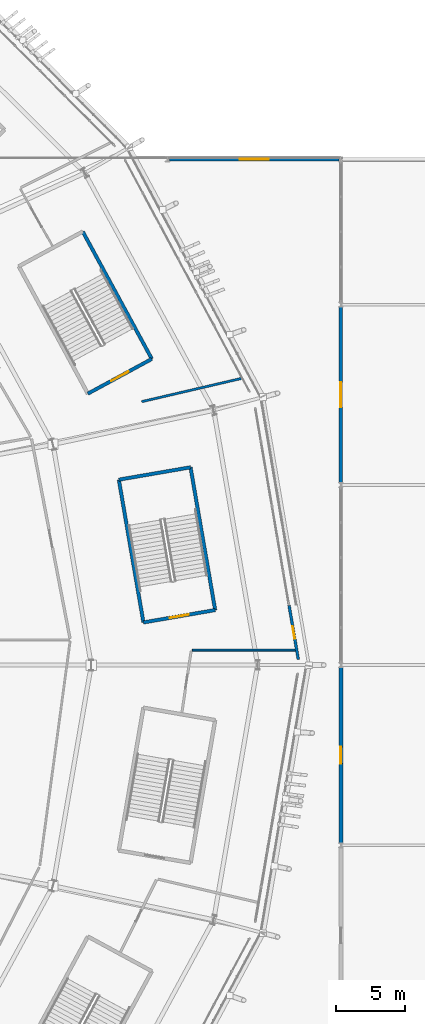
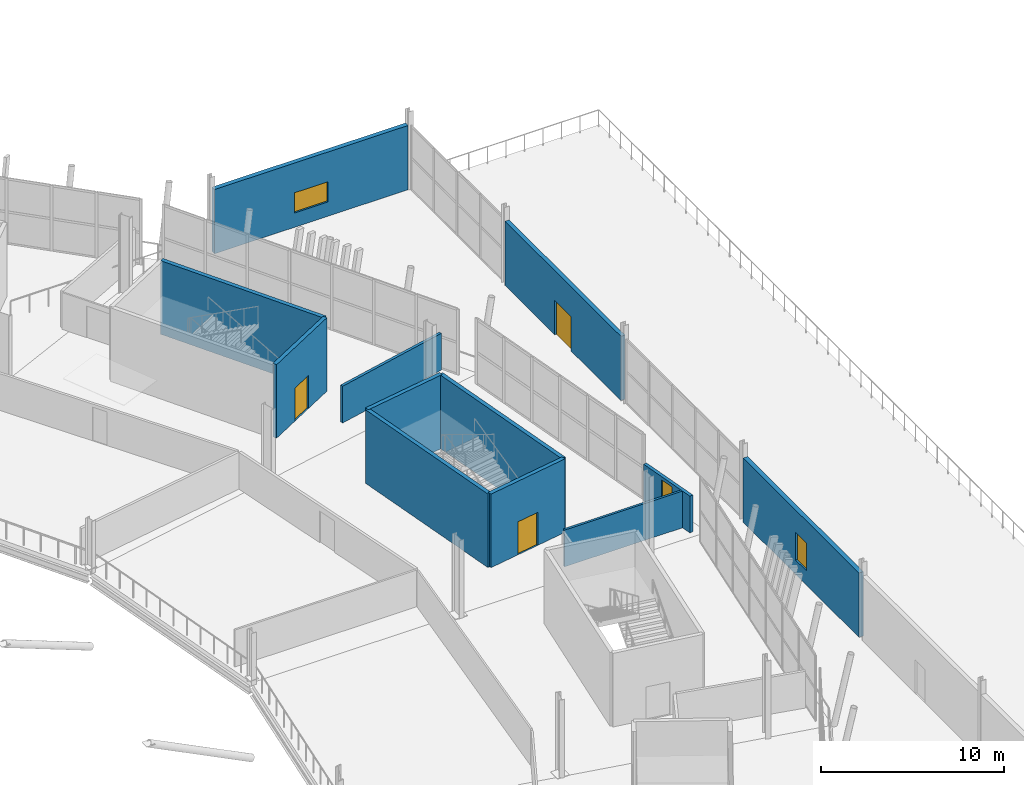
# One storey, part 124 of 168: 12 walls, 4 doors, 2 windows, 6 openings.
"""IFC4 building model written with IfcOpenShell, lengths in metres."""

import ifcopenshell
import ifcopenshell.guid

model = None  # the IFC model being written
_history = None  # IfcOwnerHistory: only IFC2X3 demands one
_inside = {}  # id of a spatial element -> (the spatial element, [elements in it])
_under = {}  # id of a project, library or spatial element -> (it, [spatial elements below it])
_declared = {}  # id of a project -> (the project, [libraries it declares])
_typed = {}  # id of a type object -> (the type object, [elements of that type])
_made_of = {}  # id of a material, layer set ... -> (it, [elements and type objects made of it])


def new_model(schema):
    """Start an empty IFC model of exactly this schema.

    Asked for "IFC4X3", IfcOpenShell would pick the latest addendum, in which some entities
    have other attributes; the version numbers below select the first issue.
    IFC2X3 requires an IfcOwnerHistory on every rooted entity: one is made here for all.
    """
    global model, _history
    if schema == "IFC4X3":
        model = ifcopenshell.file(schema_version=(4, 3, 0, 0))
    else:
        model = ifcopenshell.file(schema=schema)
    _inside.clear()
    _under.clear()
    _declared.clear()
    _typed.clear()
    _made_of.clear()
    _history = None
    if model.schema == "IFC2X3":
        org = make("IfcOrganization", Name="unknown")
        user = make(
            "IfcPersonAndOrganization",
            ThePerson=make("IfcPerson", FamilyName="unknown"),
            TheOrganization=org,
        )
        app = make(
            "IfcApplication",
            ApplicationDeveloper=org,
            Version="unknown",
            ApplicationFullName="unknown",
            ApplicationIdentifier="unknown",
        )
        _history = make(
            "IfcOwnerHistory",
            OwningUser=user,
            OwningApplication=app,
            ChangeAction="ADDED",
            CreationDate=0,
        )
    return model


def make(cls, **values):
    """One entity of the class cls with the attributes given. An attribute that is None is left unset."""
    return model.create_entity(
        cls, **{name: value for name, value in values.items() if value is not None}
    )


def rooted(cls, **values):
    """An entity with a GlobalId (a new one), such as an element, a storey or a relation."""
    return make(cls, GlobalId=ifcopenshell.guid.new(), OwnerHistory=_history, **values)


def si_unit(unit_type, name, prefix=None):
    """IfcSIUnit, for example si_unit("LENGTHUNIT", "METRE", prefix="MILLI")."""
    return make("IfcSIUnit", UnitType=unit_type, Prefix=prefix, Name=name)


def assignment(units):
    """IfcUnitAssignment: the units of a project."""
    return None if units is None else make("IfcUnitAssignment", Units=units)


def point(xyz):
    """IfcCartesianPoint."""
    return None if xyz is None else make("IfcCartesianPoint", Coordinates=xyz)


def direction(xyz):
    """IfcDirection."""
    return None if xyz is None else make("IfcDirection", DirectionRatios=xyz)


def frame(location, z_axis=None, x_axis=None):
    """IfcAxis2Placement3D, a coordinate frame: its origin and axes. An axis left out is left unset."""
    return make(
        "IfcAxis2Placement3D",
        Location=point(location),
        Axis=direction(z_axis),
        RefDirection=direction(x_axis),
    )


def frame_2d(location, x_axis=None):
    """IfcAxis2Placement2D, a coordinate frame in the plane: its origin and x axis."""
    return make(
        "IfcAxis2Placement2D", Location=point(location), RefDirection=direction(x_axis)
    )


def origin():
    """The frame at (0, 0, 0) with its axes left unset."""
    return frame((0.0, 0.0, 0.0))


def place(relative_to, where):
    """IfcLocalPlacement: puts the frame where relative to a parent placement (None: the world)."""
    return make(
        "IfcLocalPlacement", PlacementRelTo=relative_to, RelativePlacement=where
    )


def context(
    kind, dimensions, precision=None, world=None, true_north=None, identifier=None
):
    """IfcGeometricRepresentationContext, for example the 3D "Model" context."""
    return make(
        "IfcGeometricRepresentationContext",
        ContextIdentifier=identifier,
        ContextType=kind,
        CoordinateSpaceDimension=dimensions,
        Precision=precision,
        WorldCoordinateSystem=world,
        TrueNorth=true_north,
    )


def subcontext(parent, identifier, kind, view, scale=None):
    """IfcGeometricRepresentationSubContext, for example "Body" below "Model"."""
    return make(
        "IfcGeometricRepresentationSubContext",
        ContextIdentifier=identifier,
        ContextType=kind,
        ParentContext=parent,
        TargetScale=scale,
        TargetView=view,
    )


def project(units=None, contexts=None):
    """IfcProject with its units and contexts."""
    return rooted(
        "IfcProject",
        Name="project",
        RepresentationContexts=contexts,
        UnitsInContext=assignment(units),
    )


def spatial(cls, under=None, at=None, **own):
    """A site, building, storey or space (cls), placed at a placement, below another one or the project."""
    s = rooted(cls, ObjectPlacement=at, **own)
    if under is not None:
        _under.setdefault(under.id(), (under, []))[1].append(s)
    return s


def profile(cls, at=None, kind="AREA", **sizes):
    """A parametric profile (cls). Its sizes go by their IFC names, for example OverallWidth=200.0."""
    return make(cls, ProfileType=kind, Position=at, **sizes)


def rectangle(**sizes):
    """IfcRectangleProfileDef."""
    return profile("IfcRectangleProfileDef", **sizes)


def extrude(swept, where, along, depth):
    """IfcExtrudedAreaSolid: the profile swept, set in the frame where, extruded along a direction by depth."""
    return make(
        "IfcExtrudedAreaSolid",
        SweptArea=swept,
        Position=where,
        ExtrudedDirection=direction(along),
        Depth=depth,
    )


def shape(context_of_items, identifier, shape_type, items):
    """IfcShapeRepresentation: the items that make up one representation, for example the "Body"."""
    return make(
        "IfcShapeRepresentation",
        ContextOfItems=context_of_items,
        RepresentationIdentifier=identifier,
        RepresentationType=shape_type,
        Items=items,
    )


def material(Name=None, Category=None):
    """IfcMaterial."""
    return make("IfcMaterial", Name=Name, Category=Category)


def layer(
    of_material, thickness, ventilated=None, Name=None, Category=None, Priority=None
):
    """IfcMaterialLayer: one layer of a wall or slab, of a material (None: an air gap)."""
    return make(
        "IfcMaterialLayer",
        Material=of_material,
        LayerThickness=thickness,
        IsVentilated=ventilated,
        Name=Name,
        Category=Category,
        Priority=Priority,
    )


def layer_set(layers, Name=None):
    """IfcMaterialLayerSet."""
    return make("IfcMaterialLayerSet", MaterialLayers=layers, LayerSetName=Name)


def made_of(thing, what):
    """Note that an element or type object is made of a material, layer set ...; save() writes the relation."""
    if what is not None:
        _made_of.setdefault(what.id(), (what, []))[1].append(thing)
    return thing


def type_object(cls, material=None, **own):
    """A type object (cls), such as IfcWallType, which elements share."""
    return made_of(rooted(cls, **own), material)


def element(
    cls,
    number,
    at=None,
    inside=None,
    cuts=None,
    type_object=None,
    material=None,
    context=None,
    identifier="Body",
    shape_type=None,
    held_by="IfcProductDefinitionShape",
    body=None,
    shapes=None,
    **own,
):
    """One element of the class cls, such as IfcWall. Its Tag is "e" and its number.

    at: its placement. inside: the storey or other place that contains it. cuts: it is an
    opening in that element (IfcRelVoidsElement). A single representation is given by context,
    identifier, shape_type and body (its items); several are given by shapes. held_by: the class
    of the entity that holds the representations. save() writes the other relations.
    """
    e = rooted(cls, Tag="e%d" % number, ObjectPlacement=at, **own)
    if body is not None:
        shapes = [shape(context, identifier, shape_type, body)]
    if shapes is not None:
        e.Representation = make(held_by, Representations=shapes)
    if inside is not None:
        _inside.setdefault(inside.id(), (inside, []))[1].append(e)
    if cuts is not None:
        rooted(
            "IfcRelVoidsElement", RelatingBuildingElement=cuts, RelatedOpeningElement=e
        )
    if type_object is not None:
        _typed.setdefault(type_object.id(), (type_object, []))[1].append(e)
    return made_of(e, material)


def fill(opening, filler):
    """IfcRelFillsElement: the door or window that sits in an opening."""
    return rooted(
        "IfcRelFillsElement",
        RelatingOpeningElement=opening,
        RelatedBuildingElement=filler,
    )


def aggregate(whole, parts):
    """IfcRelAggregates: a whole, such as a stair, and the parts it consists of."""
    return rooted("IfcRelAggregates", RelatingObject=whole, RelatedObjects=parts)


def save(model, path):
    """Write the relations noted so far, then the file.

    IfcRelAggregates (storeys below a building ...), IfcRelContainedInSpatialStructure (elements
    in a storey), IfcRelDefinesByType, IfcRelAssociatesMaterial and IfcRelDeclares: one each for
    every whole, place, type object, material and project.
    """
    for whole, parts in _under.values():
        aggregate(whole, parts)
    for where, things in _inside.values():
        rooted(
            "IfcRelContainedInSpatialStructure",
            RelatedElements=things,
            RelatingStructure=where,
        )
    for kind, things in _typed.values():
        rooted("IfcRelDefinesByType", RelatedObjects=things, RelatingType=kind)
    for what, things in _made_of.values():
        rooted("IfcRelAssociatesMaterial", RelatedObjects=things, RelatingMaterial=what)
    for by, libraries in _declared.values():
        rooted("IfcRelDeclares", RelatingContext=by, RelatedDefinitions=libraries)
    model.write(path)


model = new_model("IFC4")

# Units and contexts
model_context = context("Model", 3, precision=1e-05, world=origin(), true_north=direction((0.0, 1.0)))
body_context = subcontext(model_context, "Body", "Model", "MODEL_VIEW")
ifc_project = project(units=[si_unit("LENGTHUNIT", "METRE"), si_unit("AREAUNIT", "SQUARE_METRE"), si_unit("VOLUMEUNIT", "CUBIC_METRE"), si_unit("PLANEANGLEUNIT", "RADIAN"), si_unit("MASSUNIT", "GRAM", prefix="KILO")], contexts=[model_context])

# Site, building, storey
site_placement = place(None, origin())
site = spatial("IfcSite", under=ifc_project, at=site_placement, CompositionType="ELEMENT")
building_placement = place(site_placement, origin())
building = spatial("IfcBuilding", under=site, at=building_placement, Name="Zlatoyarsky Gate Stadium", CompositionType="ELEMENT")
storey_placement = place(building_placement, frame((0.0, 0.0, 15.60009765625)))
storey = spatial("IfcBuildingStorey", under=building, at=storey_placement, Name="L03", CompositionType="ELEMENT", Elevation=15.60009765625)

# Walls
ifc_material_1 = material(Name="Double-stud acoustic gypsum partition", Category="gypsum")
ifc_layer_1 = layer(ifc_material_1, 0.169921875)
ifc_layer_set_1 = layer_set([ifc_layer_1], Name="Double-stud acoustic gypsum partition")
wall_type_1 = type_object("IfcWallType", Name="ACOUSTIC BROADCAST STUDIO WALL 170", PredefinedType="PARTITIONING", material=ifc_layer_set_1)
wall_1_placement = place(storey_placement, frame((195.63525390625, 99.00146484375, 0.0), z_axis=(0.0, 0.0, 1.0), x_axis=(0.973918293812, 0.226899001712, 0.0)))
element("IfcWall", 1, at=wall_1_placement, inside=storey, type_object=wall_type_1, Name="L03 interior partition PRT-L03-ORD-01L", PredefinedType="PARTITIONING", context=body_context, shape_type="SweptSolid", body=[
    extrude(rectangle(XDim=7.376953125, YDim=0.169921875, at=frame_2d((3.6884765625, 0.0))), origin(), (0.0, 0.0, 1.0), 2.449951171875),
])
ifc_material_2 = material(Name="Moisture-resistant masonry partition", Category="masonry")
ifc_layer_2 = layer(ifc_material_2, 0.139892578125)
ifc_layer_set_2 = layer_set([ifc_layer_2], Name="Moisture-resistant masonry partition")
wall_type_2 = type_object("IfcWallType", Name="ATHLETE CHANGING BLOCK PARTITION 140", PredefinedType="PARTITIONING", material=ifc_layer_set_2)
wall_2_placement = place(storey_placement, frame((199.2978515625, 81.083984375, 0.0), z_axis=(0.0, 0.0, 1.0), x_axis=(0.999999999461, 3.2840722e-05, 0.0)))
element("IfcWall", 2, at=wall_2_placement, inside=storey, type_object=wall_type_2, Name="L03 interior partition PRT-L03-ORD-23R", PredefinedType="PARTITIONING", context=body_context, shape_type="SweptSolid", body=[
    extrude(rectangle(XDim=7.43408203125, YDim=0.139892578125, at=frame_2d((3.717041015625, 0.0))), origin(), (0.0, 0.0, 1.0), 2.449951171875),
])

# Wall, opening, door
ifc_material_3 = material(Name="Gypsum-clad mineral wool fire partition", Category="gypsum")
ifc_layer_3 = layer(ifc_material_3, 0.199951171875)
ifc_layer_set_3 = layer_set([ifc_layer_3], Name="Gypsum-clad mineral wool fire partition")
wall_type_3 = type_object("IfcWallType", Name="COMPARTMENT FIRE PARTITION WALL 200", PredefinedType="PARTITIONING", material=ifc_layer_set_3)
wall_3_placement = place(storey_placement, frame((206.93408203125, 80.399169921875, 0.0), z_axis=(0.0, 0.0, 1.0), x_axis=(-0.16836659398, 0.985724449342, 0.0)))
wall_3 = element("IfcWall", 3, at=wall_3_placement, inside=storey, type_object=wall_type_3, Name="L03 interior partition PRT-PORTAL-L03-00", PredefinedType="PARTITIONING", context=body_context, shape_type="SweptSolid", body=[
    extrude(rectangle(XDim=3.960205078125, YDim=0.199951171875, at=frame_2d((1.97998046875, 0.0))), origin(), (0.0, 0.0, 1.0), 2.449951171875),
])
opening_1_placement = place(wall_3_placement, frame((1.530029296875, 0.0, 0.0)))
opening_1 = element("IfcOpeningElement", 4, at=opening_1_placement, cuts=wall_3, Name="Opening D-L03-717", PredefinedType="OPENING", context=body_context, shape_type="SweptSolid", body=[
    extrude(rectangle(XDim=0.89990234375, YDim=2.239990234375, at=frame_2d((0.449951171875, 1.1201171875))), frame((0.0, 0.10986328125, 0.0), z_axis=(0.0, -1.0, 0.0), x_axis=(1.0, 0.0, 0.0)), (0.0, 0.0, 1.0), 0.219970703125),
])
ifc_material_4 = material(Name="Powder-coated steel fire door", Category="steel")
door_type_1 = type_object("IfcDoorType", Name="ACOUSTIC INTERIOR DOOR 900X2240", OperationType="NOTDEFINED", PredefinedType="DOOR", material=ifc_material_4)
door_1_placement = place(opening_1_placement, origin())
door_1 = element("IfcDoor", 5, at=door_1_placement, inside=storey, type_object=door_type_1, Name="L03 room door D-L03-717", OperationType="SINGLE_SWING_LEFT", OverallHeight=2.239990234375, OverallWidth=0.89990234375, PredefinedType="DOOR", context=body_context, shape_type="SweptSolid", body=[
    extrude(rectangle(XDim=0.89990234375, YDim=2.239990234375, at=frame_2d((0.449951171875, 1.1201171875))), frame((0.0, 0.02490234375, 0.0), z_axis=(0.0, -1.0, 0.0), x_axis=(1.0, 0.0, 0.0)), (0.0, 0.0, 1.0), 0.050048828125),
])
fill(opening_1, door_1)

ifc_material_5 = material(Name="Concrete C40/50", Category="concrete")
ifc_layer_4 = layer(ifc_material_5, 0.25)
ifc_layer_set_4 = layer_set([ifc_layer_4], Name="Concrete C40/50")
wall_type_4 = type_object("IfcWallType", Name="CONCRETE STAIR CORE SHEAR WALL 250", PredefinedType="SHEAR", material=ifc_layer_set_4)
wall_4_placement = place(storey_placement, frame((195.762451171875, 83.07666015625, 0.0), z_axis=(0.0, 0.0, 1.0), x_axis=(0.985457162135, 0.16992404655, 0.0)))
wall_4 = element("IfcWall", 6, at=wall_4_placement, inside=storey, type_object=wall_type_4, Name="ST-01 L03 stair core entrance shear wall", PredefinedType="SHEAR", context=body_context, shape_type="SweptSolid", body=[
    extrude(rectangle(XDim=5.25, YDim=0.25, at=frame_2d((2.625, 0.0))), origin(), (0.0, 0.0, 1.0), 4.89990234375),
])
opening_2_placement = place(wall_4_placement, frame((1.925048828125, 0.0, 0.0)))
opening_2 = element("IfcOpeningElement", 7, at=opening_2_placement, cuts=wall_4, Name="Opening SD-ST-01-L03", PredefinedType="OPENING", context=body_context, shape_type="SweptSolid", body=[
    extrude(rectangle(XDim=1.39990234375, YDim=2.199951171875, at=frame_2d((0.699951171875, 1.10009765625))), frame((0.0, 0.135009765625, 0.0), z_axis=(0.0, -1.0, 0.0), x_axis=(1.0, 0.0, 0.0)), (0.0, 0.0, 1.0), 0.27001953125),
])
door_type_2 = type_object("IfcDoorType", Name="STAIR CORE FIRE EXIT DOOR 1400X2200", OperationType="NOTDEFINED", PredefinedType="DOOR", material=ifc_material_4)
door_2_placement = place(opening_2_placement, frame((1.39990234375, 0.0, 0.0), z_axis=(0.0, 0.0, 1.0), x_axis=(-1.0, 0.0, 0.0)))
door_2 = element("IfcDoor", 8, at=door_2_placement, inside=storey, type_object=door_type_2, Name="ST-01 L03 stair fire door", OperationType="SINGLE_SWING_LEFT", OverallHeight=2.199951171875, OverallWidth=1.39990234375, PredefinedType="DOOR", context=body_context, shape_type="SweptSolid", body=[
    extrude(rectangle(XDim=1.39990234375, YDim=2.199951171875, at=frame_2d((0.699951171875, 1.10009765625))), frame((0.0, 0.02490234375, 0.0), z_axis=(0.0, -1.0, 0.0), x_axis=(1.0, 0.0, 0.0)), (0.0, 0.0, 1.0), 0.050048828125),
])
fill(opening_2, door_2)

# Walls
wall_5_placement = place(storey_placement, frame((200.93603515625, 83.96875, 0.0), z_axis=(0.0, 0.0, 1.0), x_axis=(-0.169938992676, 0.985454584833, 0.0)))
element("IfcWall", 9, at=wall_5_placement, inside=storey, type_object=wall_type_4, Name="ST-01 L03 stair core left shear wall", PredefinedType="SHEAR", context=body_context, shape_type="SweptSolid", body=[
    extrude(rectangle(XDim=10.4501953125, YDim=0.25, at=frame_2d((5.22509765625, 0.0))), origin(), (0.0, 0.0, 1.0), 4.89990234375),
])
wall_6_placement = place(storey_placement, frame((199.16015625, 94.266845703125, 0.0), z_axis=(0.0, 0.0, 1.0), x_axis=(-0.985457162135, -0.16992404655, 0.0)))
element("IfcWall", 10, at=wall_6_placement, inside=storey, type_object=wall_type_4, Name="ST-01 L03 stair core far shear wall", PredefinedType="SHEAR", context=body_context, shape_type="SweptSolid", body=[
    extrude(rectangle(XDim=5.25, YDim=0.25, at=frame_2d((2.625, 0.0))), origin(), (0.0, 0.0, 1.0), 4.89990234375),
])
wall_7_placement = place(storey_placement, frame((193.986572265625, 93.374755859375, 0.0), z_axis=(0.0, 0.0, 1.0), x_axis=(0.169938992676, -0.985454584833, 0.0)))
element("IfcWall", 11, at=wall_7_placement, inside=storey, type_object=wall_type_4, Name="ST-01 L03 stair core right shear wall", PredefinedType="SHEAR", context=body_context, shape_type="SweptSolid", body=[
    extrude(rectangle(XDim=10.4501953125, YDim=0.25, at=frame_2d((5.22509765625, 0.0))), origin(), (0.0, 0.0, 1.0), 4.89990234375),
])

# Wall, opening, door
wall_8_placement = place(storey_placement, frame((191.753662109375, 99.579833984375, 0.0), z_axis=(0.0, 0.0, 1.0), x_axis=(0.878961487093, 0.47689275965, 0.0)))
wall_8 = element("IfcWall", 12, at=wall_8_placement, inside=storey, type_object=wall_type_4, Name="ST-13 L03 stair core entrance shear wall", PredefinedType="SHEAR", context=body_context, shape_type="SweptSolid", body=[
    extrude(rectangle(XDim=5.25, YDim=0.25, at=frame_2d((2.625, 0.0))), origin(), (0.0, 0.0, 1.0), 4.89990234375),
])
opening_3_placement = place(wall_8_placement, frame((1.925048828125, 0.0, 0.0)))
opening_3 = element("IfcOpeningElement", 13, at=opening_3_placement, cuts=wall_8, Name="Opening SD-ST-13-L03", PredefinedType="OPENING", context=body_context, shape_type="SweptSolid", body=[
    extrude(rectangle(XDim=1.39990234375, YDim=2.199951171875, at=frame_2d((0.699951171875, 1.10009765625))), frame((0.0, 0.135009765625, 0.0), z_axis=(0.0, -1.0, 0.0), x_axis=(1.0, 0.0, 0.0)), (0.0, 0.0, 1.0), 0.27001953125),
])
door_3_placement = place(opening_3_placement, frame((1.39990234375, 0.0, 0.0), z_axis=(0.0, 0.0, 1.0), x_axis=(-1.0, 0.0, 0.0)))
door_3 = element("IfcDoor", 14, at=door_3_placement, inside=storey, type_object=door_type_2, Name="ST-13 L03 stair fire door", OperationType="SINGLE_SWING_LEFT", OverallHeight=2.199951171875, OverallWidth=1.39990234375, PredefinedType="DOOR", context=body_context, shape_type="SweptSolid", body=[
    extrude(rectangle(XDim=1.39990234375, YDim=2.199951171875, at=frame_2d((0.699951171875, 1.10009765625))), frame((0.0, 0.02490234375, 0.0), z_axis=(0.0, -1.0, 0.0), x_axis=(1.0, 0.0, 0.0)), (0.0, 0.0, 1.0), 0.050048828125),
])
fill(opening_3, door_3)

# Wall
wall_9_placement = place(storey_placement, frame((196.3681640625, 102.08349609375, 0.0), z_axis=(0.0, 0.0, 1.0), x_axis=(-0.476876856974, 0.878970115125, 0.0)))
element("IfcWall", 15, at=wall_9_placement, inside=storey, type_object=wall_type_4, Name="ST-13 L03 stair core left shear wall", PredefinedType="SHEAR", context=body_context, shape_type="SweptSolid", body=[
    extrude(rectangle(XDim=10.4501953125, YDim=0.25, at=frame_2d((5.22509765625, 0.0))), origin(), (0.0, 0.0, 1.0), 4.89990234375),
])

# Wall, opening, window
ifc_material_6 = material(Name="Precast concrete C40/50 architectural panel", Category="concrete")
ifc_layer_5 = layer(ifc_material_6, 0.280029296875)
ifc_layer_set_5 = layer_set([ifc_layer_5], Name="Precast concrete C40/50 architectural panel")
wall_type_5 = type_object("IfcWallType", Name="INSULATED WING SPANDREL WALL 280", PredefinedType="STANDARD", material=ifc_layer_set_5)
wall_10_placement = place(storey_placement, frame((210.0, 67.177001953125, 0.0), z_axis=(0.0, 0.0, 1.0), x_axis=(0.0, 1.0, 0.0)))
wall_10 = element("IfcWall", 16, at=wall_10_placement, inside=storey, type_object=wall_type_5, Name="V5_EAST L03 E_HI exterior wall", PredefinedType="STANDARD", context=body_context, shape_type="SweptSolid", body=[
    extrude(rectangle(XDim=12.64599609375, YDim=0.280029296875, at=frame_2d((6.322998046875, 0.0))), origin(), (0.0, 0.0, 1.0), 4.27978515625),
])
opening_4_placement = place(wall_10_placement, frame((5.722900390625, 0.0, 0.949951171875)))
opening_4 = element("IfcOpeningElement", 17, at=opening_4_placement, cuts=wall_10, Name="Opening WN-03", PredefinedType="OPENING", context=body_context, shape_type="SweptSolid", body=[
    extrude(rectangle(XDim=1.199951171875, YDim=1.85009765625, at=frame_2d((0.60009765625, 0.925048828125))), frame((0.0, 0.14990234375, 0.0), z_axis=(0.0, -1.0, 0.0), x_axis=(1.0, 0.0, 0.0)), (0.0, 0.0, 1.0), 0.300048828125),
])
ifc_material_7 = material(Name="Triple-glazed thermally broken aluminium window", Category="aluminium")
window_type_1 = type_object("IfcWindowType", Name="TRIPLE GLAZED ALUMINIUM WINDOW 1200X1850", PartitioningType="SINGLE_PANEL", PredefinedType="WINDOW", material=ifc_material_7)
window_1_placement = place(opening_4_placement, origin())
window_1 = element("IfcWindow", 18, at=window_1_placement, inside=storey, type_object=window_type_1, Name="Exterior window WIN-L03-059", OverallHeight=1.85009765625, OverallWidth=1.199951171875, PartitioningType="SINGLE_PANEL", PredefinedType="WINDOW", context=body_context, shape_type="SweptSolid", body=[
    extrude(rectangle(XDim=1.199951171875, YDim=1.85009765625, at=frame_2d((0.60009765625, 0.925048828125))), frame((0.0, 0.030029296875, 0.0), z_axis=(0.0, -1.0, 0.0), x_axis=(1.0, 0.0, 0.0)), (0.0, 0.0, 1.0), 0.06005859375),
])
fill(opening_4, window_1)

wall_11_placement = place(storey_placement, frame((197.64697265625, 116.5, 0.0), z_axis=(0.0, 0.0, 1.0), x_axis=(1.0, 0.0, 0.0)))
wall_11 = element("IfcWall", 19, at=wall_11_placement, inside=storey, type_object=wall_type_5, Name="V5_EAST L03 N exterior wall", PredefinedType="STANDARD", context=body_context, shape_type="SweptSolid", body=[
    extrude(rectangle(XDim=12.2060546875, YDim=0.280029296875, at=frame_2d((6.10302734375, 0.0))), origin(), (0.0, 0.0, 1.0), 4.27978515625),
])
opening_5_placement = place(wall_11_placement, frame((5.052978515625, 0.0, 0.949951171875)))
opening_5 = element("IfcOpeningElement", 20, at=opening_5_placement, cuts=wall_11, Name="Opening WN-13", PredefinedType="OPENING", context=body_context, shape_type="SweptSolid", body=[
    extrude(rectangle(XDim=2.10009765625, YDim=1.35009765625, at=frame_2d((1.050048828125, 0.675048828125))), frame((0.0, 0.14990234375, 0.0), z_axis=(0.0, -1.0, 0.0), x_axis=(1.0, 0.0, 0.0)), (0.0, 0.0, 1.0), 0.300048828125),
])
window_type_2 = type_object("IfcWindowType", Name="TRIPLE GLAZED ALUMINIUM WINDOW 2100X1350", PartitioningType="SINGLE_PANEL", PredefinedType="WINDOW", material=ifc_material_7)
window_2_placement = place(opening_5_placement, origin())
window_2 = element("IfcWindow", 21, at=window_2_placement, inside=storey, type_object=window_type_2, Name="Exterior window WIN-L03-069", OverallHeight=1.35009765625, OverallWidth=2.10009765625, PartitioningType="SINGLE_PANEL", PredefinedType="WINDOW", context=body_context, shape_type="SweptSolid", body=[
    extrude(rectangle(XDim=2.10009765625, YDim=1.35009765625, at=frame_2d((1.050048828125, 0.675048828125))), frame((0.0, 0.030029296875, 0.0), z_axis=(0.0, -1.0, 0.0), x_axis=(1.0, 0.0, 0.0)), (0.0, 0.0, 1.0), 0.06005859375),
])
fill(opening_5, window_2)

# Wall, opening, door
ifc_material_8 = material(Name="Limestone-faced insulated masonry wall", Category="masonry")
ifc_layer_6 = layer(ifc_material_8, 0.260009765625)
ifc_layer_set_6 = layer_set([ifc_layer_6], Name="Limestone-faced insulated masonry wall")
wall_type_6 = type_object("IfcWallType", Name="PORTICO COLONNADE PLINTH WALL 260", PredefinedType="STANDARD", material=ifc_layer_set_6)
wall_12_placement = place(storey_placement, frame((210.0, 93.177001953125, 0.0), z_axis=(0.0, 0.0, 1.0), x_axis=(0.0, 1.0, 0.0)))
wall_12 = element("IfcWall", 22, at=wall_12_placement, inside=storey, type_object=wall_type_6, Name="V5_EAST L03 E_HI exterior wall", PredefinedType="STANDARD", context=body_context, shape_type="SweptSolid", body=[
    extrude(rectangle(XDim=12.64599609375, YDim=0.260009765625, at=frame_2d((6.322998046875, 0.0))), origin(), (0.0, 0.0, 1.0), 4.27978515625),
])
opening_6_placement = place(wall_12_placement, frame((5.423095703125, 0.0, 0.0)))
opening_6 = element("IfcOpeningElement", 23, at=opening_6_placement, cuts=wall_12, Name="Opening TD-04", PredefinedType="OPENING", context=body_context, shape_type="SweptSolid", body=[
    extrude(rectangle(XDim=1.800048828125, YDim=2.300048828125, at=frame_2d((0.89990234375, 1.14990234375))), frame((0.0, 0.139892578125, 0.0), z_axis=(0.0, -1.0, 0.0), x_axis=(1.0, 0.0, 0.0)), (0.0, 0.0, 1.0), 0.280029296875),
])
ifc_material_9 = material(Name="Thermally broken powder-coated steel and laminated safety glass", Category="steel")
door_type_3 = type_object("IfcDoorType", Name="GLAZED TERRACE DOUBLE DOOR 1800X2300", OperationType="DOUBLE_DOOR_SINGLE_SWING", PredefinedType="DOOR", material=ifc_material_9)
door_4_placement = place(opening_6_placement, frame((1.800048828125, 0.0, 0.0), z_axis=(0.0, 0.0, 1.0), x_axis=(-1.0, 0.0, 0.0)))
door_4 = element("IfcDoor", 24, at=door_4_placement, inside=storey, type_object=door_type_3, Name="Exterior door TD-04", OperationType="DOUBLE_DOOR_SINGLE_SWING", OverallHeight=2.300048828125, OverallWidth=1.800048828125, PredefinedType="DOOR", context=body_context, shape_type="SweptSolid", body=[
    extrude(rectangle(XDim=1.800048828125, YDim=2.300048828125, at=frame_2d((0.89990234375, 1.14990234375))), frame((0.0, 0.02490234375, 0.0), z_axis=(0.0, -1.0, 0.0), x_axis=(1.0, 0.0, 0.0)), (0.0, 0.0, 1.0), 0.050048828125),
])
fill(opening_6, door_4)

save(model, "model.ifc")
